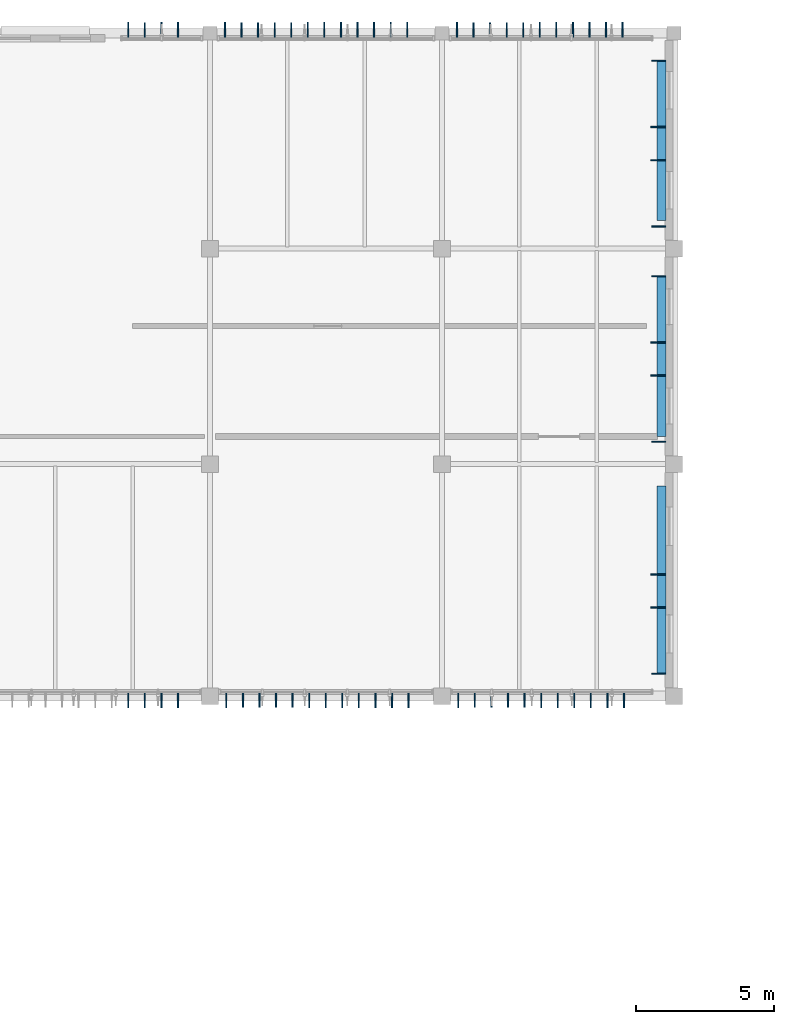
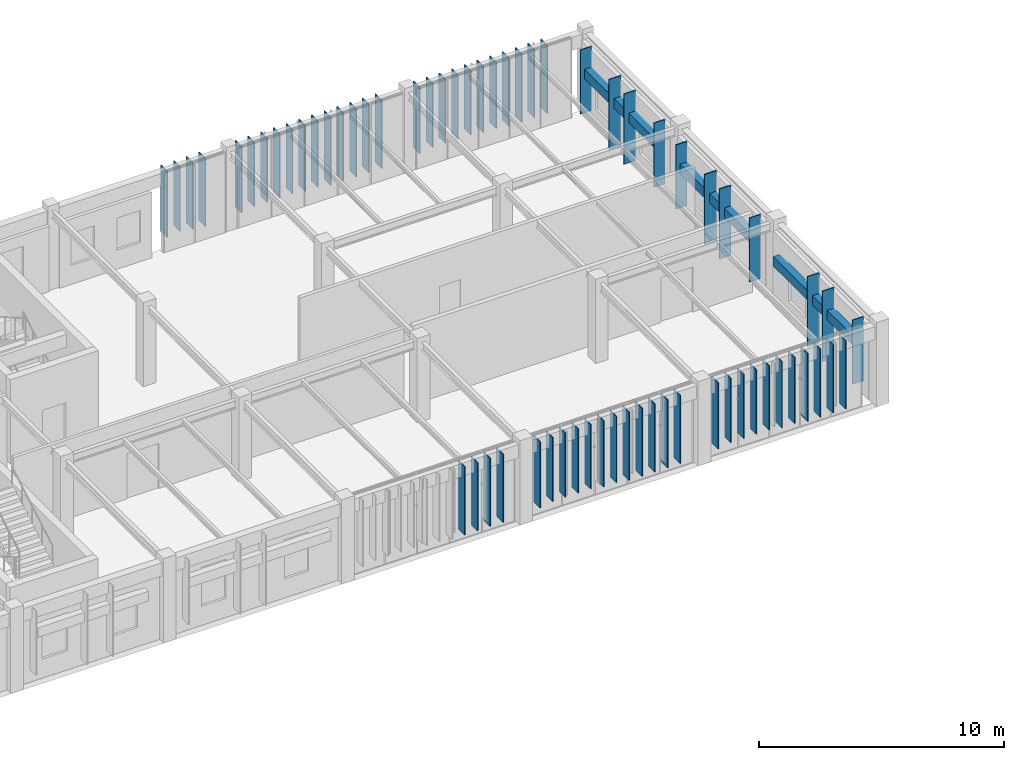
# One storey, part 33 of 104: 68 plates.
"""IFC4 building model written with IfcOpenShell, lengths in metres."""

from ifc_helpers import new_model, si_unit, direction, frame, origin, origin_2d, place, context, subcontext, project, spatial, rectangle, extrude, material, layer, layer_set, type_object, element, save


model = new_model("IFC4")

# Units and contexts
model_context = context("Model", 3, precision=1e-05, world=origin(), true_north=direction((0.0, 1.0)))
body_context = subcontext(model_context, "Body", "Model", "MODEL_VIEW")
ifc_project = project(units=[si_unit("LENGTHUNIT", "METRE"), si_unit("AREAUNIT", "SQUARE_METRE"), si_unit("VOLUMEUNIT", "CUBIC_METRE"), si_unit("PLANEANGLEUNIT", "RADIAN"), si_unit("MASSUNIT", "GRAM", prefix="KILO")], contexts=[model_context])

# Site, building, storey
site_placement = place(None, origin())
site = spatial("IfcSite", under=ifc_project, at=site_placement, CompositionType="ELEMENT")
building_placement = place(site_placement, origin())
building = spatial("IfcBuilding", under=site, at=building_placement, Name="Tazoul Stagehouse", CompositionType="ELEMENT")
storey_placement = place(building_placement, frame((0.0, 0.0, 9.0)))
storey = spatial("IfcBuildingStorey", under=building, at=storey_placement, Name="L02", CompositionType="ELEMENT", Elevation=9.0)

# Plates
ifc_material = material(Name="Anodised Bronze Aluminium 6063-T6", Category="aluminium")
ifc_layer_1 = layer(ifc_material, 0.52001953125, Name="Anodised Bronze Aluminium 6063-T6")
ifc_layer_set_1 = layer_set([ifc_layer_1], Name="Anodised Bronze Aluminium 6063-T6")
plate_type_1 = type_object("IfcPlateType", Name="Parametric Terracotta-Bronze Solar Fin 520x3200", PredefinedType="USERDEFINED", material=ifc_layer_set_1)
for number, where, z_axis, x_axis, name in (
    (1, (131.43994140625, 111.919921875, 0.7099609375), (0.0, 0.0, 1.0), (1.0, 0.0, 0.0), "L02 Parametric Solar Fin SFN-18 (CW-V3-N3-L02-B1-02)"),
    (2, (134.93994140625, 111.919921875, 0.7099609375), (0.0, 0.0, 1.0), (1.0, 0.0, 0.0), "L02 Parametric Solar Fin SFN-18 (CW-V3-N3-L02-B2-02)"),
    (3, (135.5400390625, 111.919921875, 0.7099609375), (0.0, 0.0, 1.0), (1.0, 0.0, 0.0), "L02 Parametric Solar Fin SFN-18 (CW-V3-N3-L02-B2-03)"),
    (4, (136.139892578125, 111.919921875, 0.7099609375), (0.0, 0.0, 1.0), (1.0, 0.0, 0.0), "L02 Parametric Solar Fin SFN-18 (CW-V3-N3-L02-B2-04)"),
    (5, (136.739990234375, 111.919921875, 0.7099609375), (0.0, 0.0, 1.0), (1.0, 0.0, 0.0), "L02 Parametric Solar Fin SFN-18 (CW-V3-N3-L02-B2-05)"),
    (6, (143.340087890625, 111.919921875, 0.7099609375), (0.0, 0.0, 1.0), (1.0, 0.0, 0.0), "L02 Parametric Solar Fin SFN-18 (CW-V3-N3-L02-B3-02)"),
    (7, (143.93994140625, 111.919921875, 0.7099609375), (0.0, 0.0, 1.0), (1.0, 0.0, 0.0), "L02 Parametric Solar Fin SFN-18 (CW-V3-N3-L02-B3-03)"),
    (8, (144.5400390625, 111.919921875, 0.7099609375), (0.0, 0.0, 1.0), (1.0, 0.0, 0.0), "L02 Parametric Solar Fin SFN-18 (CW-V3-N3-L02-B3-04)"),
    (9, (145.139892578125, 111.919921875, 0.7099609375), (0.0, 0.0, 1.0), (1.0, 0.0, 0.0), "L02 Parametric Solar Fin SFN-18 (CW-V3-N3-L02-B3-05)"),
    (10, (134.989990234375, 87.64990234375, 0.7099609375), (0.0, 0.0, 1.0), (1.0, 0.0, 0.0), "L02 Parametric Solar Fin SFN-18 (CW-V3-S2-L02-B2-02)"),
    (11, (135.590087890625, 87.64990234375, 0.7099609375), (0.0, 0.0, 1.0), (1.0, 0.0, 0.0), "L02 Parametric Solar Fin SFN-18 (CW-V3-S2-L02-B2-03)"),
    (12, (136.18994140625, 87.64990234375, 0.7099609375), (0.0, 0.0, 1.0), (1.0, 0.0, 0.0), "L02 Parametric Solar Fin SFN-18 (CW-V3-S2-L02-B2-04)"),
    (13, (136.7900390625, 87.64990234375, 0.7099609375), (0.0, 0.0, 1.0), (1.0, 0.0, 0.0), "L02 Parametric Solar Fin SFN-18 (CW-V3-S2-L02-B2-05)"),
    (14, (143.389892578125, 87.64990234375, 0.7099609375), (0.0, 0.0, 1.0), (1.0, 0.0, 0.0), "L02 Parametric Solar Fin SFN-18 (CW-V3-S2-L02-B3-02)"),
    (15, (143.989990234375, 87.64990234375, 0.7099609375), (0.0, 0.0, 1.0), (1.0, 0.0, 0.0), "L02 Parametric Solar Fin SFN-18 (CW-V3-S2-L02-B3-03)"),
    (16, (144.590087890625, 87.64990234375, 0.7099609375), (0.0, 0.0, 1.0), (1.0, 0.0, 0.0), "L02 Parametric Solar Fin SFN-18 (CW-V3-S2-L02-B3-04)"),
    (17, (145.18994140625, 87.64990234375, 0.7099609375), (0.0, 0.0, 1.0), (1.0, 0.0, 0.0), "L02 Parametric Solar Fin SFN-18 (CW-V3-S2-L02-B3-05)"),
    (18, (150.050048828125, 88.60498046875, 0.64013671875), (0.0, 0.0, 1.0), (0.0, 1.0, 0.0), "L02 Parametric Solar Fin SFN-18 (WALL-V3-E-L02-S1-01)"),
    (19, (150.050048828125, 97.0048828125, 0.64013671875), (0.0, 0.0, 1.0), (0.0, 1.0, 0.0), "L02 Parametric Solar Fin SFN-18 (WALL-V3-E-L02-S2-01)"),
    (20, (150.050048828125, 103.0048828125, 0.64013671875), (0.0, 0.0, 1.0), (0.0, 1.0, 0.0), "L02 Parametric Solar Fin SFN-18 (WALL-V3-E-L02-S2-06)"),
    (21, (150.050048828125, 104.804931640625, 0.64013671875), (0.0, 0.0, 1.0), (0.0, 1.0, 0.0), "L02 Parametric Solar Fin SFN-18 (WALL-V3-E-L02-S3-01)"),
    (22, (150.050048828125, 110.804931640625, 0.64013671875), (0.0, 0.0, 1.0), (0.0, 1.0, 0.0), "L02 Parametric Solar Fin SFN-18 (WALL-V3-E-L02-S3-06)"),
):
    element("IfcPlate", number, at=place(storey_placement, frame(where, z_axis=z_axis, x_axis=x_axis)), inside=storey, type_object=plate_type_1, Name=name, ObjectType="SOLAR FIN", PredefinedType="USERDEFINED", context=body_context, shape_type="SweptSolid", body=[
        extrude(rectangle(XDim=0.044921875, YDim=0.52001953125, at=origin_2d()), origin(), (0.0, 0.0, 1.0), 3.199951171875),
    ])
ifc_layer_2 = layer(ifc_material, 0.530029296875, Name="Anodised Bronze Aluminium 6063-T6")
ifc_layer_set_2 = layer_set([ifc_layer_2], Name="Anodised Bronze Aluminium 6063-T6")
plate_type_2 = type_object("IfcPlateType", Name="Parametric Terracotta-Bronze Solar Fin 530x3300", PredefinedType="USERDEFINED", material=ifc_layer_set_2)
for number, where, z_axis, x_axis, name in (
    (23, (130.840087890625, 111.925048828125, 0.60986328125), (0.0, 0.0, 1.0), (1.0, 0.0, 0.0), "L02 Parametric Solar Fin SFN-19 (CW-V3-N3-L02-B1-01)"),
    (24, (132.0400390625, 111.925048828125, 0.60986328125), (0.0, 0.0, 1.0), (1.0, 0.0, 0.0), "L02 Parametric Solar Fin SFN-19 (CW-V3-N3-L02-B1-03)"),
    (25, (134.340087890625, 111.925048828125, 0.60986328125), (0.0, 0.0, 1.0), (1.0, 0.0, 0.0), "L02 Parametric Solar Fin SFN-19 (CW-V3-N3-L02-B2-01)"),
    (26, (137.340087890625, 111.925048828125, 0.60986328125), (0.0, 0.0, 1.0), (1.0, 0.0, 0.0), "L02 Parametric Solar Fin SFN-19 (CW-V3-N3-L02-B2-06)"),
    (27, (137.93994140625, 111.925048828125, 0.60986328125), (0.0, 0.0, 1.0), (1.0, 0.0, 0.0), "L02 Parametric Solar Fin SFN-19 (CW-V3-N3-L02-B2-07)"),
    (28, (142.739990234375, 111.925048828125, 0.60986328125), (0.0, 0.0, 1.0), (1.0, 0.0, 0.0), "L02 Parametric Solar Fin SFN-19 (CW-V3-N3-L02-B3-01)"),
    (29, (145.739990234375, 111.925048828125, 0.60986328125), (0.0, 0.0, 1.0), (1.0, 0.0, 0.0), "L02 Parametric Solar Fin SFN-19 (CW-V3-N3-L02-B3-06)"),
    (30, (146.340087890625, 111.925048828125, 0.60986328125), (0.0, 0.0, 1.0), (1.0, 0.0, 0.0), "L02 Parametric Solar Fin SFN-19 (CW-V3-N3-L02-B3-07)"),
    (31, (134.389892578125, 87.64501953125, 0.60986328125), (0.0, 0.0, 1.0), (1.0, 0.0, 0.0), "L02 Parametric Solar Fin SFN-19 (CW-V3-S2-L02-B2-01)"),
    (32, (137.389892578125, 87.64501953125, 0.60986328125), (0.0, 0.0, 1.0), (1.0, 0.0, 0.0), "L02 Parametric Solar Fin SFN-19 (CW-V3-S2-L02-B2-06)"),
    (33, (137.989990234375, 87.64501953125, 0.60986328125), (0.0, 0.0, 1.0), (1.0, 0.0, 0.0), "L02 Parametric Solar Fin SFN-19 (CW-V3-S2-L02-B2-07)"),
    (34, (142.7900390625, 87.64501953125, 0.60986328125), (0.0, 0.0, 1.0), (1.0, 0.0, 0.0), "L02 Parametric Solar Fin SFN-19 (CW-V3-S2-L02-B3-01)"),
    (35, (145.7900390625, 87.64501953125, 0.60986328125), (0.0, 0.0, 1.0), (1.0, 0.0, 0.0), "L02 Parametric Solar Fin SFN-19 (CW-V3-S2-L02-B3-06)"),
    (36, (146.389892578125, 87.64501953125, 0.60986328125), (0.0, 0.0, 1.0), (1.0, 0.0, 0.0), "L02 Parametric Solar Fin SFN-19 (CW-V3-S2-L02-B3-07)"),
):
    element("IfcPlate", number, at=place(storey_placement, frame(where, z_axis=z_axis, x_axis=x_axis)), inside=storey, type_object=plate_type_2, Name=name, ObjectType="SOLAR FIN", PredefinedType="USERDEFINED", context=body_context, shape_type="SweptSolid", body=[
        extrude(rectangle(XDim=0.044921875, YDim=0.530029296875, at=origin_2d()), origin(), (0.0, 0.0, 1.0), 3.300048828125),
    ])
ifc_layer_3 = layer(ifc_material, 0.5400390625, Name="Anodised Bronze Aluminium 6063-T6")
ifc_layer_set_3 = layer_set([ifc_layer_3], Name="Anodised Bronze Aluminium 6063-T6")
plate_type_3 = type_object("IfcPlateType", Name="Parametric Terracotta-Bronze Solar Fin 540x3400", PredefinedType="USERDEFINED", material=ifc_layer_set_3)
for number, where, z_axis, x_axis, name in (
    (37, (132.639892578125, 111.929931640625, 0.510009765625), (0.0, 0.0, 1.0), (1.0, 0.0, 0.0), "L02 Parametric Solar Fin SFN-20 (CW-V3-N3-L02-B1-04)"),
    (38, (138.5400390625, 111.929931640625, 0.510009765625), (0.0, 0.0, 1.0), (1.0, 0.0, 0.0), "L02 Parametric Solar Fin SFN-20 (CW-V3-N3-L02-B2-08)"),
    (39, (139.139892578125, 111.929931640625, 0.510009765625), (0.0, 0.0, 1.0), (1.0, 0.0, 0.0), "L02 Parametric Solar Fin SFN-20 (CW-V3-N3-L02-B2-09)"),
    (40, (139.739990234375, 111.929931640625, 0.510009765625), (0.0, 0.0, 1.0), (1.0, 0.0, 0.0), "L02 Parametric Solar Fin SFN-20 (CW-V3-N3-L02-B2-10)"),
    (41, (140.340087890625, 111.929931640625, 0.510009765625), (0.0, 0.0, 1.0), (1.0, 0.0, 0.0), "L02 Parametric Solar Fin SFN-20 (CW-V3-N3-L02-B2-11)"),
    (42, (140.93994140625, 111.929931640625, 0.510009765625), (0.0, 0.0, 1.0), (1.0, 0.0, 0.0), "L02 Parametric Solar Fin SFN-20 (CW-V3-N3-L02-B2-12)"),
    (43, (146.93994140625, 111.929931640625, 0.510009765625), (0.0, 0.0, 1.0), (1.0, 0.0, 0.0), "L02 Parametric Solar Fin SFN-20 (CW-V3-N3-L02-B3-08)"),
    (44, (147.5400390625, 111.929931640625, 0.510009765625), (0.0, 0.0, 1.0), (1.0, 0.0, 0.0), "L02 Parametric Solar Fin SFN-20 (CW-V3-N3-L02-B3-09)"),
    (45, (148.139892578125, 111.929931640625, 0.510009765625), (0.0, 0.0, 1.0), (1.0, 0.0, 0.0), "L02 Parametric Solar Fin SFN-20 (CW-V3-N3-L02-B3-10)"),
    (46, (148.739990234375, 111.929931640625, 0.510009765625), (0.0, 0.0, 1.0), (1.0, 0.0, 0.0), "L02 Parametric Solar Fin SFN-20 (CW-V3-N3-L02-B3-11)"),
    (47, (130.840087890625, 87.639892578125, 0.510009765625), (0.0, 0.0, 1.0), (1.0, 0.0, 0.0), "L02 Parametric Solar Fin SFN-20 (CW-V3-S2-L02-B1-09)"),
    (48, (131.43994140625, 87.639892578125, 0.510009765625), (0.0, 0.0, 1.0), (1.0, 0.0, 0.0), "L02 Parametric Solar Fin SFN-20 (CW-V3-S2-L02-B1-10)"),
    (49, (132.0400390625, 87.639892578125, 0.510009765625), (0.0, 0.0, 1.0), (1.0, 0.0, 0.0), "L02 Parametric Solar Fin SFN-20 (CW-V3-S2-L02-B1-11)"),
    (50, (132.639892578125, 87.639892578125, 0.510009765625), (0.0, 0.0, 1.0), (1.0, 0.0, 0.0), "L02 Parametric Solar Fin SFN-20 (CW-V3-S2-L02-B1-12)"),
    (51, (138.590087890625, 87.639892578125, 0.510009765625), (0.0, 0.0, 1.0), (1.0, 0.0, 0.0), "L02 Parametric Solar Fin SFN-20 (CW-V3-S2-L02-B2-08)"),
    (52, (139.18994140625, 87.639892578125, 0.510009765625), (0.0, 0.0, 1.0), (1.0, 0.0, 0.0), "L02 Parametric Solar Fin SFN-20 (CW-V3-S2-L02-B2-09)"),
    (53, (139.7900390625, 87.639892578125, 0.510009765625), (0.0, 0.0, 1.0), (1.0, 0.0, 0.0), "L02 Parametric Solar Fin SFN-20 (CW-V3-S2-L02-B2-10)"),
    (54, (140.389892578125, 87.639892578125, 0.510009765625), (0.0, 0.0, 1.0), (1.0, 0.0, 0.0), "L02 Parametric Solar Fin SFN-20 (CW-V3-S2-L02-B2-11)"),
    (55, (140.989990234375, 87.639892578125, 0.510009765625), (0.0, 0.0, 1.0), (1.0, 0.0, 0.0), "L02 Parametric Solar Fin SFN-20 (CW-V3-S2-L02-B2-12)"),
    (56, (146.989990234375, 87.639892578125, 0.510009765625), (0.0, 0.0, 1.0), (1.0, 0.0, 0.0), "L02 Parametric Solar Fin SFN-20 (CW-V3-S2-L02-B3-08)"),
    (57, (147.590087890625, 87.639892578125, 0.510009765625), (0.0, 0.0, 1.0), (1.0, 0.0, 0.0), "L02 Parametric Solar Fin SFN-20 (CW-V3-S2-L02-B3-09)"),
    (58, (148.18994140625, 87.639892578125, 0.510009765625), (0.0, 0.0, 1.0), (1.0, 0.0, 0.0), "L02 Parametric Solar Fin SFN-20 (CW-V3-S2-L02-B3-10)"),
    (59, (148.7900390625, 87.639892578125, 0.510009765625), (0.0, 0.0, 1.0), (1.0, 0.0, 0.0), "L02 Parametric Solar Fin SFN-20 (CW-V3-S2-L02-B3-11)"),
):
    element("IfcPlate", number, at=place(storey_placement, frame(where, z_axis=z_axis, x_axis=x_axis)), inside=storey, type_object=plate_type_3, Name=name, ObjectType="SOLAR FIN", PredefinedType="USERDEFINED", context=body_context, shape_type="SweptSolid", body=[
        extrude(rectangle(XDim=0.044921875, YDim=0.5400390625, at=origin_2d()), origin(), (0.0, 0.0, 1.0), 3.39990234375),
    ])
ifc_layer_4 = layer(ifc_material, 0.550048828125, Name="Anodised Bronze Aluminium 6063-T6")
ifc_layer_set_4 = layer_set([ifc_layer_4], Name="Anodised Bronze Aluminium 6063-T6")
plate_type_4 = type_object("IfcPlateType", Name="Parametric Terracotta-Bronze Solar Fin 550x3500", PredefinedType="USERDEFINED", material=ifc_layer_set_4)
for number, where, z_axis, x_axis, name in (
    (60, (150.034912109375, 91.0048828125, 0.340087890625), (0.0, 0.0, 1.0), (0.0, 1.0, 0.0), "L02 Parametric Solar Fin SFN-21 (WALL-V3-E-L02-S1-03)"),
    (61, (150.034912109375, 92.205078125, 0.340087890625), (0.0, 0.0, 1.0), (0.0, 1.0, 0.0), "L02 Parametric Solar Fin SFN-21 (WALL-V3-E-L02-S1-04)"),
    (62, (150.034912109375, 99.405029296875, 0.340087890625), (0.0, 0.0, 1.0), (0.0, 1.0, 0.0), "L02 Parametric Solar Fin SFN-21 (WALL-V3-E-L02-S2-03)"),
    (63, (150.034912109375, 100.60498046875, 0.340087890625), (0.0, 0.0, 1.0), (0.0, 1.0, 0.0), "L02 Parametric Solar Fin SFN-21 (WALL-V3-E-L02-S2-04)"),
    (64, (150.034912109375, 107.205078125, 0.340087890625), (0.0, 0.0, 1.0), (0.0, 1.0, 0.0), "L02 Parametric Solar Fin SFN-21 (WALL-V3-E-L02-S3-03)"),
    (65, (150.034912109375, 108.405029296875, 0.340087890625), (0.0, 0.0, 1.0), (0.0, 1.0, 0.0), "L02 Parametric Solar Fin SFN-21 (WALL-V3-E-L02-S3-04)"),
):
    element("IfcPlate", number, at=place(storey_placement, frame(where, z_axis=z_axis, x_axis=x_axis)), inside=storey, type_object=plate_type_4, Name=name, ObjectType="SOLAR FIN", PredefinedType="USERDEFINED", context=body_context, shape_type="SweptSolid", body=[
        extrude(rectangle(XDim=0.044921875, YDim=0.550048828125, at=origin_2d()), origin(), (0.0, 0.0, 1.0), 3.5),
    ])
ifc_layer_5 = layer(ifc_material, 0.320068359375, Name="Anodised Bronze Aluminium 6063-T6")
ifc_layer_set_5 = layer_set([ifc_layer_5], Name="Anodised Bronze Aluminium 6063-T6")
plate_type_5 = type_object("IfcPlateType", Name="Sculpted Facade Spandrel Ribbon 5800x480", PredefinedType="USERDEFINED", material=ifc_layer_set_5)
for number, where, z_axis, x_axis, name in (
    (66, (150.14990234375, 100.10009765625, 2.333984375), (0.0, 0.0, 1.0), (0.0, 1.0, 0.0), "L02 Sculpted Facade Spandrel Ribbon FRB-08 (WALL-V3-E-L02-S2)"),
    (67, (150.14990234375, 107.925048828125, 2.333984375), (0.0, 0.0, 1.0), (0.0, 1.0, 0.0), "L02 Sculpted Facade Spandrel Ribbon FRB-08 (WALL-V3-E-L02-S3)"),
):
    element("IfcPlate", number, at=place(storey_placement, frame(where, z_axis=z_axis, x_axis=x_axis)), inside=storey, type_object=plate_type_5, Name=name, ObjectType="FACADE RIBBON", PredefinedType="USERDEFINED", context=body_context, shape_type="SweptSolid", body=[
        extrude(rectangle(XDim=5.800048828125, YDim=0.320068359375, at=origin_2d()), origin(), (0.0, 0.0, 1.0), 0.47998046875),
    ])
ifc_layer_6 = layer(ifc_material, 0.320068359375, Name="Anodised Bronze Aluminium 6063-T6")
ifc_layer_set_6 = layer_set([ifc_layer_6], Name="Anodised Bronze Aluminium 6063-T6")
plate_type_6 = type_object("IfcPlateType", Name="Sculpted Facade Spandrel Ribbon 6800x480", PredefinedType="USERDEFINED", material=ifc_layer_set_6)
plate_placement = place(storey_placement, frame((150.14990234375, 92.0, 2.333984375), z_axis=(0.0, 0.0, 1.0), x_axis=(0.0, 1.0, 0.0)))
element("IfcPlate", 68, at=plate_placement, inside=storey, type_object=plate_type_6, Name="L02 Sculpted Facade Spandrel Ribbon FRB-10 (WALL-V3-E-L02-S1)", ObjectType="FACADE RIBBON", PredefinedType="USERDEFINED", context=body_context, shape_type="SweptSolid", body=[
    extrude(rectangle(XDim=6.800048828125, YDim=0.320068359375, at=origin_2d()), origin(), (0.0, 0.0, 1.0), 0.47998046875),
])

save(model, "model.ifc")
